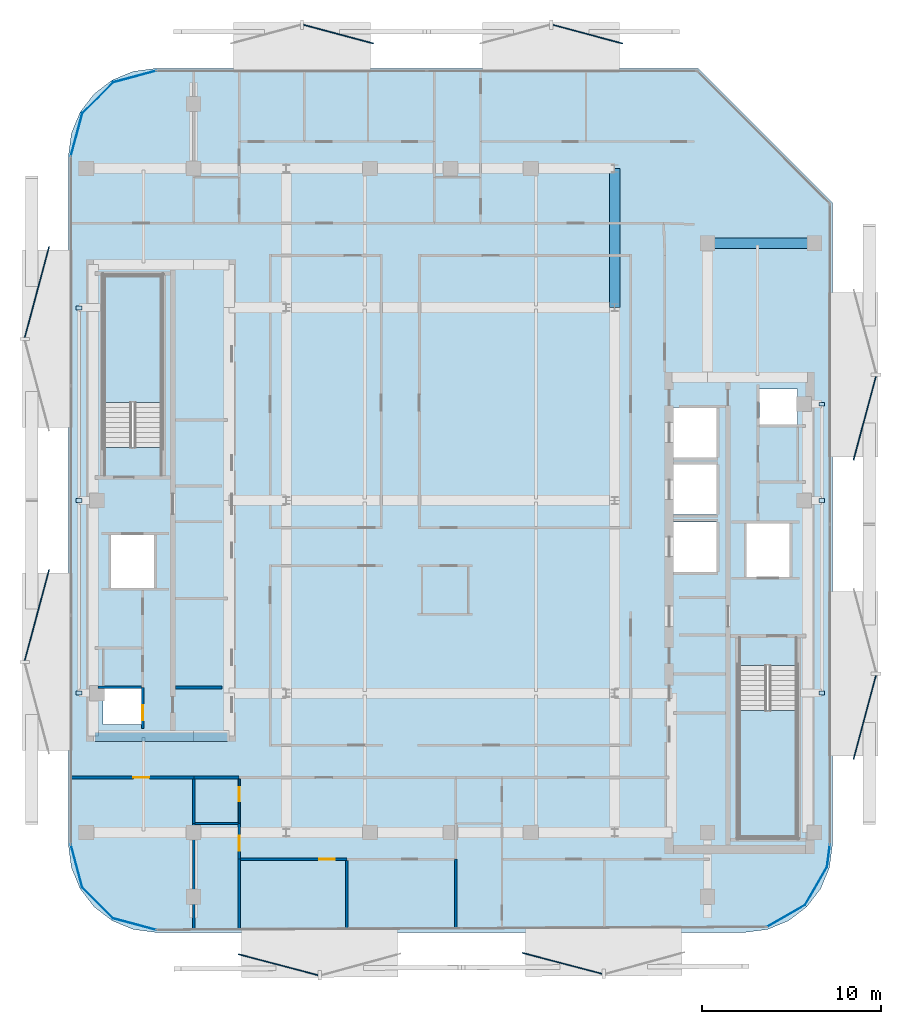
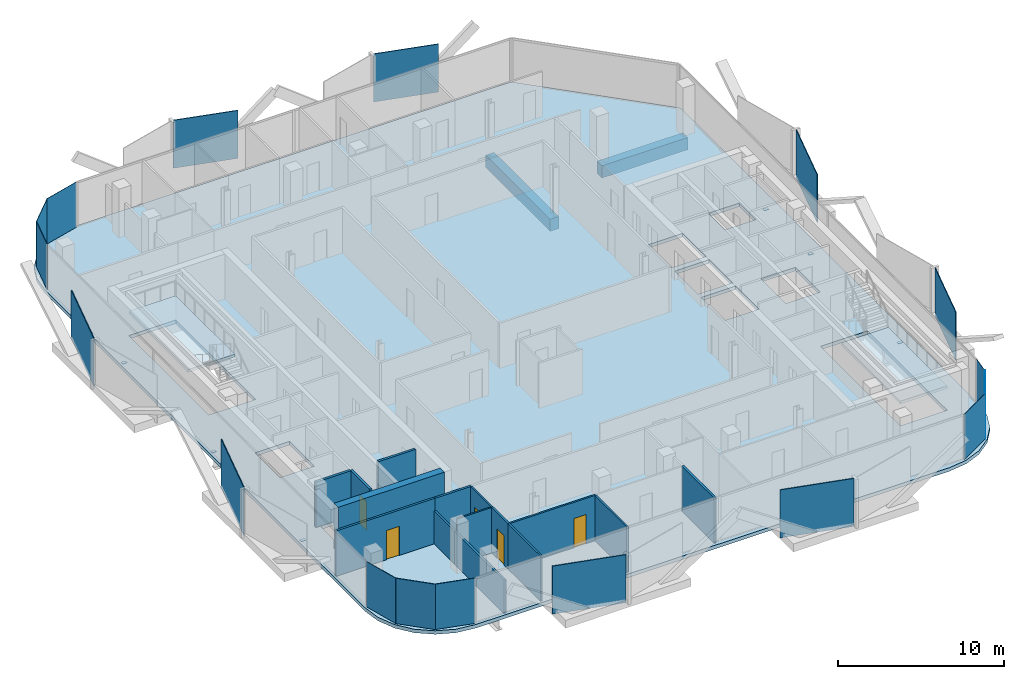
# One storey, part 2 of 15: 23 plates, 15 walls, 5 doors, 3 slabs, 2 beams, 5 openings, 2 elements without a shape of their own.
"""IFC4 building model written with IfcOpenShell, lengths in metres."""

from ifc_helpers import new_model, si_unit, direction, frame, frame_2d, origin, origin_2d, place, context, subcontext, project, spatial, polyline, rectangle, outline, extrude, material, layer, layer_set, material_profile, profile_set, type_object, element, fill, aggregate, save


model = new_model("IFC4")

# Units and contexts
model_context = context("Model", 3, precision=1e-05, world=origin(), true_north=direction((0.0, 1.0)))
body_context = subcontext(model_context, "Body", "Model", "MODEL_VIEW")
ifc_project = project(units=[si_unit("LENGTHUNIT", "METRE"), si_unit("AREAUNIT", "SQUARE_METRE"), si_unit("VOLUMEUNIT", "CUBIC_METRE"), si_unit("PLANEANGLEUNIT", "RADIAN"), si_unit("MASSUNIT", "GRAM", prefix="KILO")], contexts=[model_context])

# Site, building, storey
site_placement = place(None, origin())
site = spatial("IfcSite", under=ifc_project, at=site_placement, CompositionType="ELEMENT")
building_placement = place(site_placement, origin())
building = spatial("IfcBuilding", under=site, at=building_placement, Name="Khairoan Windgate Tower", CompositionType="ELEMENT")
storey_placement = place(building_placement, frame((0.0, 0.0, 262.0)))
storey = spatial("IfcBuildingStorey", under=building, at=storey_placement, Name="L62", CompositionType="ELEMENT", Elevation=262.0)

# Beams
ifc_material_1 = material(Name="Concrete C50/60", Category="concrete")
ifc_material_profile = material_profile(ifc_material_1, rectangle(XDim=0.60009765625, YDim=0.89990234375, at=origin_2d()))
ifc_profile_set = profile_set([ifc_material_profile], Name="Concrete C50/60")
beam_type = type_object("IfcBeamType", Name="Beam B-RC1 RC600x900", PredefinedType="BEAM", material=ifc_profile_set)
beam_1_placement = place(storey_placement, frame((14.39990234375, 14.39990234375, -0.7099609375), z_axis=(1.0, 0.0, 0.0), x_axis=(0.0, 1.0, 0.0)))
element("IfcBeam", 1, at=beam_1_placement, inside=storey, type_object=beam_type, Name="L62 E-W Primary Girder 21", PredefinedType="BEAM", context=body_context, shape_type="SweptSolid", body=[
    extrude(rectangle(XDim=0.60009765625, YDim=0.89990234375, at=origin_2d()), origin(), (0.0, 0.0, 1.0), 6.0),
])
beam_2_placement = place(storey_placement, frame((9.199951171875, 10.800048828125, -0.7099609375), z_axis=(0.0, 1.0, 0.0), x_axis=(-1.0, 0.0, 0.0)))
element("IfcBeam", 2, at=beam_2_placement, inside=storey, type_object=beam_type, Name="L62 N-S Primary Beam 45", PredefinedType="BEAM", context=body_context, shape_type="SweptSolid", body=[
    extrude(rectangle(XDim=0.60009765625, YDim=0.89990234375, at=origin_2d()), origin(), (0.0, 0.0, 1.0), 7.800048828125),
])

# Plates
ifc_material_2 = material(Name="Low-E Solar Control Laminated Glass", Category="glass")
ifc_layer_1 = layer(ifc_material_2, 0.030029296875, Name="Low-E Solar Control Laminated Glass")
ifc_layer_set_1 = layer_set([ifc_layer_1], Name="Low-E Solar Control Laminated Glass")
plate_type_1 = type_object("IfcPlateType", Name="Aerodynamic Wind-Corner Curved Glazing Plate", PredefinedType="USERDEFINED", material=ifc_layer_set_1)
plate_1_placement = place(storey_placement, frame((-17.68505859375, -23.740478515625, 0.0), z_axis=(0.0, 0.0, 1.0), x_axis=(-0.966061211211, 0.258313252067, 0.0)))
element("IfcPlate", 3, at=plate_1_placement, inside=storey, type_object=plate_type_1, Name="L62 Aerodynamic Wind-Corner Curved Glazing Panel 2", ObjectType="GLAZING PANEL", PredefinedType="USERDEFINED", context=body_context, shape_type="SweptSolid", body=[
    extrude(rectangle(XDim=2.512451171875, YDim=0.030029296875, at=origin_2d()), origin(), (0.0, 0.0, 1.0), 3.340087890625),
])
plate_2_placement = place(storey_placement, frame((-19.750244140625, -22.55029296875, 0.0), z_axis=(0.0, 0.0, 1.0), x_axis=(-0.707106781187, 0.707106781187, 0.0)))
element("IfcPlate", 4, at=plate_2_placement, inside=storey, type_object=plate_type_1, Name="L62 Aerodynamic Wind-Corner Curved Glazing Panel 3", ObjectType="GLAZING PANEL", PredefinedType="USERDEFINED", context=body_context, shape_type="SweptSolid", body=[
    extrude(rectangle(XDim=2.50341796875, YDim=0.030029296875, at=origin_2d()), origin(), (0.0, 0.0, 1.0), 3.340087890625),
])
for number, where, z_axis, x_axis, name in (
    (5, (-20.940673828125, -20.485107421875, 0.0), (0.0, 0.0, 1.0), (-0.258313252067, 0.966061211211, 0.0), "L62 Aerodynamic Wind-Corner Curved Glazing Panel 4"),
    (6, (-20.940673828125, 20.485107421875, 0.0), (0.0, 0.0, 1.0), (0.258313252067, 0.966061211211, 0.0), "L62 Aerodynamic Wind-Corner Curved Glazing Panel 6"),
):
    element("IfcPlate", number, at=place(storey_placement, frame(where, z_axis=z_axis, x_axis=x_axis)), inside=storey, type_object=plate_type_1, Name=name, ObjectType="GLAZING PANEL", PredefinedType="USERDEFINED", context=body_context, shape_type="SweptSolid", body=[
        extrude(rectangle(XDim=2.512451171875, YDim=0.030029296875, at=origin_2d()), origin(), (0.0, 0.0, 1.0), 3.340087890625),
    ])
plate_3_placement = place(storey_placement, frame((-19.750244140625, 22.55029296875, 0.0), z_axis=(0.0, 0.0, 1.0), x_axis=(0.707106781187, 0.707106781187, 0.0)))
element("IfcPlate", 7, at=plate_3_placement, inside=storey, type_object=plate_type_1, Name="L62 Aerodynamic Wind-Corner Curved Glazing Panel 7", ObjectType="GLAZING PANEL", PredefinedType="USERDEFINED", context=body_context, shape_type="SweptSolid", body=[
    extrude(rectangle(XDim=2.50341796875, YDim=0.030029296875, at=origin_2d()), origin(), (0.0, 0.0, 1.0), 3.340087890625),
])
plate_4_placement = place(storey_placement, frame((-17.68505859375, 23.740478515625, 0.0), z_axis=(0.0, 0.0, 1.0), x_axis=(0.966061211211, 0.258313252067, 0.0)))
element("IfcPlate", 8, at=plate_4_placement, inside=storey, type_object=plate_type_1, Name="L62 Aerodynamic Wind-Corner Curved Glazing Panel 8", ObjectType="GLAZING PANEL", PredefinedType="USERDEFINED", context=body_context, shape_type="SweptSolid", body=[
    extrude(rectangle(XDim=2.512451171875, YDim=0.030029296875, at=origin_2d()), origin(), (0.0, 0.0, 1.0), 3.340087890625),
])
plate_5_placement = place(storey_placement, frame((21.17822265625, -19.911376953125, 0.0), z_axis=(0.0, 0.0, 1.0), x_axis=(-0.13052619222, -0.991444861374, 0.0)))
element("IfcPlate", 9, at=plate_5_placement, inside=storey, type_object=plate_type_1, Name="L62 Aerodynamic Wind-Corner Curved Glazing Panel 12", ObjectType="GLAZING PANEL", PredefinedType="USERDEFINED", context=body_context, shape_type="SweptSolid", body=[
    extrude(rectangle(XDim=1.29150390625, YDim=0.030029296875, at=origin_2d()), origin(), (0.0, 0.0, 1.0), 3.340087890625),
])
for number, where, z_axis, x_axis, name in (
    (10, (20.480712890625, -21.598388671875, 0.0), (0.0, 0.0, 1.0), (-0.5, -0.866025403784, 0.0), "L62 Aerodynamic Wind-Corner Curved Glazing Panel 13"),
    (11, (18.79833984375, -23.28076171875, 0.0), (0.0, 0.0, 1.0), (-0.866025403784, -0.5, 0.0), "L62 Aerodynamic Wind-Corner Curved Glazing Panel 14"),
):
    element("IfcPlate", number, at=place(storey_placement, frame(where, z_axis=z_axis, x_axis=x_axis)), inside=storey, type_object=plate_type_1, Name=name, ObjectType="GLAZING PANEL", PredefinedType="USERDEFINED", context=body_context, shape_type="SweptSolid", body=[
        extrude(rectangle(XDim=2.50341796875, YDim=0.030029296875, at=origin_2d()), origin(), (0.0, 0.0, 1.0), 3.340087890625),
    ])
ifc_material_3 = material(Name="Steel S355", Category="steel")
ifc_layer_2 = layer(ifc_material_3, 0.0400390625, Name="Steel S355")
ifc_layer_set_2 = layer_set([ifc_layer_2], Name="Steel S355")
plate_type_2 = type_object("IfcPlateType", Name="Hollow Section End-Cap Plate PL-CAP40", PredefinedType="SHEET", material=ifc_layer_set_2)
for number, where, z_axis, x_axis, name in (
    (12, (-20.800048828125, -10.784912109375, -0.429931640625), (0.0, 0.0, 1.0), (0.0, 1.0, 0.0), "BM-SP-L62-028 steel end-cap plate 1"),
    (13, (-20.800048828125, -0.014892578125, -0.429931640625), (0.0, 0.0, 1.0), (0.0, 1.0, 0.0), "BM-SP-L62-028 steel end-cap plate 2"),
    (14, (-20.800048828125, 10.784912109375, -0.429931640625), (0.0, 0.0, 1.0), (0.0, 1.0, 0.0), "BM-SP-L62-029 steel end-cap plate 2"),
    (15, (20.800048828125, -10.784912109375, -0.429931640625), (0.0, 0.0, 1.0), (0.0, 1.0, 0.0), "BM-SP-L62-051 steel end-cap plate 1"),
    (16, (20.800048828125, -0.014892578125, -0.429931640625), (0.0, 0.0, 1.0), (0.0, 1.0, 0.0), "BM-SP-L62-051 steel end-cap plate 2"),
    (17, (20.800048828125, 5.385009765625, -0.429931640625), (0.0, 0.0, 1.0), (0.0, 1.0, 0.0), "BM-SP-L62-052 steel end-cap plate 2"),
):
    element("IfcPlate", number, at=place(storey_placement, frame(where, z_axis=z_axis, x_axis=x_axis)), inside=storey, type_object=plate_type_2, Name=name, PredefinedType="SHEET", context=body_context, shape_type="SweptSolid", body=[
        extrude(rectangle(XDim=0.219970703125, YDim=0.320068359375, at=origin_2d()), origin(), (0.0, 0.0, 1.0), 0.0400390625),
    ])
ifc_material_4 = material(Name="Anodised Bronze Aluminium 6063-T6", Category="aluminium")
ifc_layer_3 = layer(ifc_material_4, 0.054931640625, Name="Anodised Bronze Aluminium 6063-T6")
ifc_layer_set_3 = layer_set([ifc_layer_3], Name="Anodised Bronze Aluminium 6063-T6")
plate_type_3 = type_object("IfcPlateType", Name="Perforated Bronze Solar Screen Upper Panel BSP-2", PredefinedType="USERDEFINED", material=ifc_layer_set_3)
for number, where, z_axis, x_axis, name in (
    (18, (6.26708984375, -25.934326171875, -0.10009765625), (0.0, 0.0, 1.0), (-0.967134752842, 0.254264369988, 0.0), "L62 Perforated Bronze Solar Screen Panel 425R"),
    (19, (-9.64404296875, -26.01025390625, -0.10009765625), (0.0, 0.0, 1.0), (-0.967134752842, 0.254264369988, 0.0), "L62 Perforated Bronze Solar Screen Panel 426R"),
):
    element("IfcPlate", number, at=place(storey_placement, frame(where, z_axis=z_axis, x_axis=x_axis)), inside=storey, type_object=plate_type_3, Name=name, ObjectType="SCREEN", PredefinedType="USERDEFINED", context=body_context, shape_type="SweptSolid", body=[
        extrude(rectangle(XDim=4.614013671875, YDim=0.054931640625, at=origin_2d()), origin(), (0.0, 0.0, 1.0), 3.5400390625),
    ])
for number, where, z_axis, x_axis, name in (
    (20, (-23.1611328125, -6.421875, -0.10009765625), (0.0, 0.0, 1.0), (0.258819045103, 0.965925826289, 0.0), "L62 Perforated Bronze Solar Screen Panel 427R"),
    (21, (-23.1611328125, 11.6689453125, -0.10009765625), (0.0, 0.0, 1.0), (0.258819045103, 0.965925826289, 0.0), "L62 Perforated Bronze Solar Screen Panel 428R"),
):
    element("IfcPlate", number, at=place(storey_placement, frame(where, z_axis=z_axis, x_axis=x_axis)), inside=storey, type_object=plate_type_3, Name=name, ObjectType="SCREEN", PredefinedType="USERDEFINED", context=body_context, shape_type="SweptSolid", body=[
        extrude(rectangle(XDim=5.24609375, YDim=0.054931640625, at=origin_2d()), origin(), (0.0, 0.0, 1.0), 3.5400390625),
    ])
for number, where, z_axis, x_axis, name in (
    (22, (-6.26806640625, 26.1162109375, -0.10009765625), (0.0, 0.0, 1.0), (0.965925826289, -0.258819045103, 0.0), "L62 Perforated Bronze Solar Screen Panel 429R"),
    (23, (7.6884765625, 26.1162109375, -0.10009765625), (0.0, 0.0, 1.0), (0.965925826289, -0.258819045103, 0.0), "L62 Perforated Bronze Solar Screen Panel 430R"),
):
    element("IfcPlate", number, at=place(storey_placement, frame(where, z_axis=z_axis, x_axis=x_axis)), inside=storey, type_object=plate_type_3, Name=name, ObjectType="SCREEN", PredefinedType="USERDEFINED", context=body_context, shape_type="SweptSolid", body=[
        extrude(rectangle(XDim=4.047119140625, YDim=0.054931640625, at=origin_2d()), origin(), (0.0, 0.0, 1.0), 3.5400390625),
    ])
for number, where, z_axis, x_axis, name in (
    (24, (23.211181640625, 4.607177734375, -0.10009765625), (0.0, 0.0, 1.0), (-0.258819045103, -0.965925826289, 0.0), "L62 Perforated Bronze Solar Screen Panel 431R"),
    (25, (23.211181640625, -12.1494140625, -0.10009765625), (0.0, 0.0, 1.0), (-0.258819045103, -0.965925826289, 0.0), "L62 Perforated Bronze Solar Screen Panel 432R"),
):
    element("IfcPlate", number, at=place(storey_placement, frame(where, z_axis=z_axis, x_axis=x_axis)), inside=storey, type_object=plate_type_3, Name=name, ObjectType="SCREEN", PredefinedType="USERDEFINED", context=body_context, shape_type="SweptSolid", body=[
        extrude(rectangle(XDim=4.85888671875, YDim=0.054931640625, at=origin_2d()), origin(), (0.0, 0.0, 1.0), 3.5400390625),
    ])

# Stair, slab
ifc_material_5 = material(Name="Concrete C40/50", Category="concrete")
stair_type = type_object("IfcStairType", Name="Tower Core Dog-Leg Stair ST-T1 1560mm", PredefinedType="HALF_TURN_STAIR", material=ifc_material_5)
stair_1_placement = place(storey_placement, origin())
stair_1 = element("IfcStair", 26, at=stair_1_placement, inside=storey, type_object=stair_type, Name="L62 Stair ST1", PredefinedType="HALF_TURN_STAIR")
ifc_material_6 = material(Name="Concrete C40/50", Category="concrete")
ifc_layer_4 = layer(ifc_material_6, 0.199951171875, Name="Concrete C40/50")
ifc_layer_set_4 = layer_set([ifc_layer_4], Name="Concrete C40/50")
slab_type_1 = type_object("IfcSlabType", Name="Reinforced Concrete Stair Landing Slab STL-200", PredefinedType="LANDING", material=ifc_layer_set_4)
slab_1_placement = place(storey_placement, frame((0.0, 0.0, 1.60009765625)))
slab_1 = element("IfcSlab", 27, at=slab_1_placement, type_object=slab_type_1, Name="ST1 landing 1", PredefinedType="LANDING", context=body_context, shape_type="SweptSolid", body=[
    extrude(outline(polyline([(16.14990234375, -11.780029296875), (16.14990234375, -18.89990234375), (19.419921875, -18.89990234375), (19.419921875, -11.780029296875), (16.14990234375, -11.780029296875)])), origin(), (0.0, 0.0, 1.0), 0.199951171875),
])
aggregate(stair_1, [slab_1])

stair_2_placement = place(storey_placement, origin())
stair_2 = element("IfcStair", 28, at=stair_2_placement, inside=storey, type_object=stair_type, Name="L62 Stair ST2", PredefinedType="HALF_TURN_STAIR")
slab_2_placement = place(storey_placement, frame((0.0, 0.0, 1.60009765625)))
slab_2 = element("IfcSlab", 29, at=slab_2_placement, type_object=slab_type_1, Name="ST2 landing 1", PredefinedType="LANDING", context=body_context, shape_type="SweptSolid", body=[
    extrude(outline(polyline([(-16.14990234375, 5.47998046875), (-16.14990234375, 12.60009765625), (-19.419921875, 12.60009765625), (-19.419921875, 5.47998046875), (-16.14990234375, 5.47998046875)])), origin(), (0.0, 0.0, 1.0), 0.199951171875),
])
aggregate(stair_2, [slab_2])

# Slab
ifc_material_7 = material(Name="Concrete C40/50", Category="concrete")
ifc_layer_5 = layer(ifc_material_7, 0.260009765625, Name="Concrete C40/50")
ifc_layer_set_5 = layer_set([ifc_layer_5], Name="Concrete C40/50")
slab_type_2 = type_object("IfcSlabType", Name="Tower Composite Floor Slab FS2 260mm", PredefinedType="FLOOR", material=ifc_layer_set_5)
slab_3_placement = place(storey_placement, frame((0.0, 0.0, -0.260009765625)))
element("IfcSlab", 30, at=slab_3_placement, inside=storey, type_object=slab_type_2, Name="L62 Structural Floor Slab", PredefinedType="FLOOR", context=body_context, shape_type="SweptSolid", body=[
    extrude(outline(polyline([(16.5, -24.199951171875), (17.768310546875, -24.032958984375), (18.949951171875, -23.54345703125), (19.96484375, -22.764892578125), (20.743408203125, -21.75), (21.23291015625, -20.568115234375), (21.39990234375, -19.300048828125), (21.39990234375, 16.679931640625), (13.8798828125, 24.199951171875), (-16.5, 24.199951171875), (-17.768310546875, 24.032958984375), (-18.949951171875, 23.54345703125), (-19.96484375, 22.764892578125), (-20.743408203125, 21.75), (-21.23291015625, 20.568115234375), (-21.39990234375, 19.300048828125), (-21.39990234375, -19.300048828125), (-21.23291015625, -20.568115234375), (-20.743408203125, -21.75), (-19.96484375, -22.764892578125), (-18.949951171875, -23.54345703125), (-17.768310546875, -24.032958984375), (-16.5, -24.199951171875), (16.5, -24.199951171875)]), holes=[polyline([(16.14990234375, -9.260009765625), (16.14990234375, -18.89990234375), (19.419921875, -18.89990234375), (19.419921875, -9.260009765625), (16.14990234375, -9.260009765625)]), polyline([(-16.14990234375, 2.9599609375), (-16.14990234375, 12.60009765625), (-19.419921875, 12.60009765625), (-19.419921875, 2.9599609375), (-16.14990234375, 2.9599609375)]), polyline([(12.5, 2.39990234375), (14.89990234375, 2.39990234375), (14.89990234375, 5.199951171875), (12.5, 5.199951171875), (12.5, 2.39990234375)]), polyline([(12.5, -0.800048828125), (14.89990234375, -0.800048828125), (14.89990234375, 2.0), (12.5, 2.0), (12.5, -0.800048828125)]), polyline([(12.5, -4.0), (14.89990234375, -4.0), (14.89990234375, -1.199951171875), (12.5, -1.199951171875), (12.5, -4.0)]), polyline([(16.60009765625, -4.300048828125), (19.0, -4.300048828125), (19.0, -1.300048828125), (16.60009765625, -1.300048828125), (16.60009765625, -4.300048828125)]), polyline([(-19.0, -4.89990234375), (-16.60009765625, -4.89990234375), (-16.60009765625, -1.89990234375), (-19.0, -1.89990234375), (-19.0, -4.89990234375)]), polyline([(-19.449951171875, -12.550048828125), (-17.31005859375, -12.550048828125), (-17.31005859375, -10.550048828125), (-19.449951171875, -10.550048828125), (-19.449951171875, -12.550048828125)]), polyline([(17.31005859375, 4.25), (19.449951171875, 4.25), (19.449951171875, 6.25), (17.31005859375, 6.25), (17.31005859375, 4.25)])]), origin(), (0.0, 0.0, 1.0), 0.260009765625),
])

# Wall
ifc_material_8 = material(Name="Moisture-Resistant Gypsum Partition", Category="gypsum")
ifc_layer_6 = layer(ifc_material_8, 0.10009765625, Name="Moisture-Resistant Gypsum Partition")
ifc_layer_set_6 = layer_set([ifc_layer_6], Name="Moisture-Resistant Gypsum Partition")
wall_type_1 = type_object("IfcWallType", Name="Bathroom Wet-Area Partition Wall", PredefinedType="PARTITIONING", material=ifc_layer_set_6)
wall_1_placement = place(storey_placement, frame((-14.300048828125, -18.10009765625, 0.0), z_axis=(0.0, 0.0, 1.0), x_axis=(1.0, 0.0, 0.0)))
element("IfcWall", 31, at=wall_1_placement, inside=storey, type_object=wall_type_1, Name="L62 Interior Partition 063", PredefinedType="PARTITIONING", context=body_context, shape_type="SweptSolid", body=[
    extrude(rectangle(XDim=2.420166015625, YDim=0.10009765625, at=frame_2d((1.2099609375, 0.0))), origin(), (0.0, 0.0, 1.0), 3.340087890625),
])

# Wall, opening, door
wall_2_placement = place(storey_placement, frame((-11.830078125, -18.10009765625, 0.0), z_axis=(0.0, 0.0, 1.0), x_axis=(0.0, 1.0, 0.0)))
wall_2 = element("IfcWall", 32, at=wall_2_placement, inside=storey, type_object=wall_type_1, Name="L62 Interior Partition 064", PredefinedType="PARTITIONING", context=body_context, shape_type="SweptSolid", body=[
    extrude(rectangle(XDim=2.5, YDim=0.10009765625, at=frame_2d((1.25, 0.0))), origin(), (0.0, 0.0, 1.0), 3.340087890625),
])
opening_1_placement = place(wall_2_placement, frame((1.239990234375, 0.0, 0.0)))
opening_1 = element("IfcOpeningElement", 33, at=opening_1_placement, cuts=wall_2, Name="Opening ID-BTH", PredefinedType="OPENING", context=body_context, shape_type="SweptSolid", body=[
    extrude(rectangle(XDim=0.800048828125, YDim=2.10009765625, at=frame_2d((0.39990234375, 1.050048828125))), frame((0.0, 0.06005859375, 0.0), z_axis=(0.0, -1.0, 0.0), x_axis=(1.0, 0.0, 0.0)), (0.0, 0.0, 1.0), 0.1201171875),
])
ifc_material_9 = material(Name="Teak Veneer Timber Leaf", Category="wood")
door_type_1 = type_object("IfcDoorType", Name="Internal Bathroom Door ID-BTH 800x2100", OperationType="NOTDEFINED", PredefinedType="DOOR", material=ifc_material_9)
door_1_placement = place(opening_1_placement, origin())
door_1 = element("IfcDoor", 34, at=door_1_placement, inside=storey, type_object=door_type_1, Name="L62 L62-46-L62-48 Door", OperationType="SINGLE_SWING_LEFT", OverallHeight=2.10009765625, OverallWidth=0.800048828125, PredefinedType="DOOR", context=body_context, shape_type="SweptSolid", body=[
    extrude(rectangle(XDim=0.800048828125, YDim=2.10009765625, at=frame_2d((0.39990234375, 1.050048828125))), frame((0.0, 0.02490234375, 0.0), z_axis=(0.0, -1.0, 0.0), x_axis=(1.0, 0.0, 0.0)), (0.0, 0.0, 1.0), 0.050048828125),
])
fill(opening_1, door_1)

# Walls
ifc_material_10 = material(Name="Concrete C40/50", Category="concrete")
ifc_layer_7 = layer(ifc_material_10, 0.159912109375, Name="Concrete C40/50")
ifc_layer_set_7 = layer_set([ifc_layer_7], Name="Concrete C40/50")
wall_type_2 = type_object("IfcWallType", Name="Core and Hoistway Enclosure Wall", PredefinedType="STANDARD", material=ifc_layer_set_7)
wall_3_placement = place(storey_placement, frame((-15.39990234375, -10.47998046875, 0.0), z_axis=(0.0, 0.0, 1.0), x_axis=(1.0, 0.0, 0.0)))
element("IfcWall", 35, at=wall_3_placement, inside=storey, type_object=wall_type_2, Name="L62 Core Shaft Wall SW-WSV-L62", PredefinedType="STANDARD", context=body_context, shape_type="SweptSolid", body=[
    extrude(rectangle(XDim=2.599853515625, YDim=0.159912109375, at=frame_2d((1.2998046875, 0.0))), origin(), (0.0, 0.0, 1.0), 3.340087890625),
])
ifc_material_11 = material(Name="Acoustic Fire-Rated Gypsum Partition", Category="gypsum")
ifc_layer_8 = layer(ifc_material_11, 0.139892578125, Name="Acoustic Fire-Rated Gypsum Partition")
ifc_layer_set_8 = layer_set([ifc_layer_8], Name="Acoustic Fire-Rated Gypsum Partition")
wall_type_3 = type_object("IfcWallType", Name="Inter-Tenancy Compartment Wall", PredefinedType="PARTITIONING", material=ifc_layer_set_8)
wall_4_placement = place(storey_placement, frame((-14.3701171875, -18.10009765625, 0.0), z_axis=(0.0, 0.0, 1.0), x_axis=(0.0, 1.0, 0.0)))
element("IfcWall", 36, at=wall_4_placement, inside=storey, type_object=wall_type_3, Name="L62 Interior Partition 065", PredefinedType="PARTITIONING", context=body_context, shape_type="SweptSolid", body=[
    extrude(rectangle(XDim=2.5, YDim=0.139892578125, at=frame_2d((1.25, 0.0))), origin(), (0.0, 0.0, 1.0), 2.43994140625),
])
wall_5_placement = place(storey_placement, frame((-14.3701171875, -24.044921875, 0.0), z_axis=(0.0, 0.0, 1.0), x_axis=(0.0, 1.0, 0.0)))
element("IfcWall", 37, at=wall_5_placement, inside=storey, type_object=wall_type_3, Name="L62 Interior Partition 068", PredefinedType="PARTITIONING", context=body_context, shape_type="SweptSolid", body=[
    extrude(rectangle(XDim=5.94482421875, YDim=0.139892578125, at=frame_2d((2.972412109375, 0.0))), origin(), (0.0, 0.0, 1.0), 2.43994140625),
])
wall_6_placement = place(storey_placement, frame((0.300048828125, -23.974853515625, 0.0), z_axis=(0.0, 0.0, 1.0), x_axis=(0.0, 1.0, 0.0)))
element("IfcWall", 38, at=wall_6_placement, inside=storey, type_object=wall_type_3, Name="L62 Interior Partition 074", PredefinedType="PARTITIONING", context=body_context, shape_type="SweptSolid", body=[
    extrude(rectangle(XDim=3.874755859375, YDim=0.139892578125, at=frame_2d((1.9375, 0.0))), origin(), (0.0, 0.0, 1.0), 3.340087890625),
])

# Wall, opening, door
ifc_material_12 = material(Name="Gypsum Stud Partition", Category="gypsum")
ifc_layer_9 = layer(ifc_material_12, 0.1201171875, Name="Gypsum Stud Partition")
ifc_layer_set_9 = layer_set([ifc_layer_9], Name="Gypsum Stud Partition")
wall_type_4 = type_object("IfcWallType", Name="Internal Room Partition Wall", PredefinedType="PARTITIONING", material=ifc_layer_set_9)
wall_7_placement = place(storey_placement, frame((-11.830078125, -20.10009765625, 0.0), z_axis=(0.0, 0.0, 1.0), x_axis=(0.0, 1.0, 0.0)))
wall_7 = element("IfcWall", 39, at=wall_7_placement, inside=storey, type_object=wall_type_4, Name="L62 Interior Partition 066", PredefinedType="PARTITIONING", context=body_context, shape_type="SweptSolid", body=[
    extrude(rectangle(XDim=2.0, YDim=0.1201171875, at=frame_2d((1.0, 0.0))), origin(), (0.0, 0.0, 1.0), 3.340087890625),
])
opening_2_placement = place(wall_7_placement, frame((0.4599609375, 0.0, 0.0)))
opening_2 = element("IfcOpeningElement", 40, at=opening_2_placement, cuts=wall_7, Name="Opening ID-RM", PredefinedType="OPENING", context=body_context, shape_type="SweptSolid", body=[
    extrude(rectangle(XDim=0.860107421875, YDim=2.14990234375, at=frame_2d((0.43017578125, 1.074951171875))), frame((0.0, 0.070068359375, 0.0), z_axis=(0.0, -1.0, 0.0), x_axis=(1.0, 0.0, 0.0)), (0.0, 0.0, 1.0), 0.14013671875),
])
ifc_material_13 = material(Name="Teak Veneer Timber Leaf", Category="wood")
door_type_2 = type_object("IfcDoorType", Name="Internal Bedroom and Office Door ID-RM 860x2150", OperationType="NOTDEFINED", PredefinedType="DOOR", material=ifc_material_13)
door_2_placement = place(opening_2_placement, origin())
door_2 = element("IfcDoor", 41, at=door_2_placement, inside=storey, type_object=door_type_2, Name="L62 L62-47-L62-48 Door", OperationType="SINGLE_SWING_RIGHT", OverallHeight=2.14990234375, OverallWidth=0.860107421875, PredefinedType="DOOR", context=body_context, shape_type="SweptSolid", body=[
    extrude(rectangle(XDim=0.860107421875, YDim=2.14990234375, at=frame_2d((0.43017578125, 1.074951171875))), frame((0.0, 0.02490234375, 0.0), z_axis=(0.0, -1.0, 0.0), x_axis=(1.0, 0.0, 0.0)), (0.0, 0.0, 1.0), 0.050048828125),
])
fill(opening_2, door_2)

# Wall
wall_8_placement = place(storey_placement, frame((-11.830078125, -24.03271484375, 0.0), z_axis=(0.0, 0.0, 1.0), x_axis=(0.0, 1.0, 0.0)))
element("IfcWall", 42, at=wall_8_placement, inside=storey, type_object=wall_type_4, Name="L62 Interior Partition 067", PredefinedType="PARTITIONING", context=body_context, shape_type="SweptSolid", body=[
    extrude(rectangle(XDim=3.9326171875, YDim=0.1201171875, at=frame_2d((1.96630859375, 0.0))), origin(), (0.0, 0.0, 1.0), 3.340087890625),
])

# Wall, opening, door
wall_9_placement = place(storey_placement, frame((-11.77001953125, -20.10009765625, 0.0), z_axis=(0.0, 0.0, 1.0), x_axis=(1.0, 0.0, 0.0)))
wall_9 = element("IfcWall", 43, at=wall_9_placement, inside=storey, type_object=wall_type_4, Name="L62 Interior Partition 069", PredefinedType="PARTITIONING", context=body_context, shape_type="SweptSolid", body=[
    extrude(rectangle(XDim=5.965087890625, YDim=0.1201171875, at=frame_2d((2.982421875, 0.0))), origin(), (0.0, 0.0, 1.0), 3.340087890625),
])
opening_3_placement = place(wall_9_placement, frame((4.435791015625, 0.0, 0.0)))
opening_3 = element("IfcOpeningElement", 44, at=opening_3_placement, cuts=wall_9, Name="Opening ID-RM", PredefinedType="OPENING", context=body_context, shape_type="SweptSolid", body=[
    extrude(rectangle(XDim=0.860107421875, YDim=2.14990234375, at=frame_2d((0.43017578125, 1.074951171875))), frame((0.0, 0.070068359375, 0.0), z_axis=(0.0, -1.0, 0.0), x_axis=(1.0, 0.0, 0.0)), (0.0, 0.0, 1.0), 0.14013671875),
])
door_3_placement = place(opening_3_placement, origin())
door_3 = element("IfcDoor", 45, at=door_3_placement, inside=storey, type_object=door_type_2, Name="L62 L62-48-L62-49 Door", OperationType="SINGLE_SWING_LEFT", OverallHeight=2.14990234375, OverallWidth=0.860107421875, PredefinedType="DOOR", context=body_context, shape_type="SweptSolid", body=[
    extrude(rectangle(XDim=0.860107421875, YDim=2.14990234375, at=frame_2d((0.43017578125, 1.074951171875))), frame((0.0, 0.02490234375, 0.0), z_axis=(0.0, -1.0, 0.0), x_axis=(1.0, 0.0, 0.0)), (0.0, 0.0, 1.0), 0.050048828125),
])
fill(opening_3, door_3)

# Wall
wall_10_placement = place(storey_placement, frame((-5.804931640625, -24.00390625, 0.0), z_axis=(0.0, 0.0, 1.0), x_axis=(0.0, 1.0, 0.0)))
element("IfcWall", 46, at=wall_10_placement, inside=storey, type_object=wall_type_4, Name="L62 Interior Partition 073", PredefinedType="PARTITIONING", context=body_context, shape_type="SweptSolid", body=[
    extrude(rectangle(XDim=3.843994140625, YDim=0.1201171875, at=frame_2d((1.921875, 0.0))), origin(), (0.0, 0.0, 1.0), 3.340087890625),
])

# Wall, opening, door
ifc_material_14 = material(Name="Concrete C40/50", Category="concrete")
ifc_layer_10 = layer(ifc_material_14, 0.159912109375, Name="Concrete C40/50")
ifc_layer_set_10 = layer_set([ifc_layer_10], Name="Concrete C40/50")
wall_type_5 = type_object("IfcWallType", Name="Plant and Refuge Compartment Wall", PredefinedType="PARTITIONING", material=ifc_layer_set_10)
wall_11_placement = place(storey_placement, frame((-17.22998046875, -12.7900390625, 0.0), z_axis=(0.0, 0.0, 1.0), x_axis=(0.0, 1.0, 0.0)))
wall_11 = element("IfcWall", 47, at=wall_11_placement, inside=storey, type_object=wall_type_5, Name="L62 Interior Partition 001", PredefinedType="PARTITIONING", context=body_context, shape_type="SweptSolid", body=[
    extrude(rectangle(XDim=2.320068359375, YDim=0.159912109375, at=frame_2d((1.16015625, 0.0))), origin(), (0.0, 0.0, 1.0), 3.340087890625),
])
opening_4_placement = place(wall_11_placement, frame((0.4599609375, 0.0, 0.0)))
opening_4 = element("IfcOpeningElement", 48, at=opening_4_placement, cuts=wall_11, Name="Opening FD-SRV", PredefinedType="OPENING", context=body_context, shape_type="SweptSolid", body=[
    extrude(rectangle(XDim=0.85009765625, YDim=2.10009765625, at=frame_2d((0.425048828125, 1.050048828125))), frame((0.0, 0.08984375, 0.0), z_axis=(0.0, -1.0, 0.0), x_axis=(1.0, 0.0, 0.0)), (0.0, 0.0, 1.0), 0.179931640625),
])
ifc_material_15 = material(Name="Steel S355", Category="steel")
door_type_3 = type_object("IfcDoorType", Name="Core Service and Riser Fire Door FD-SRV 850x2100", OperationType="NOTDEFINED", PredefinedType="DOOR", material=ifc_material_15)
door_4_placement = place(opening_4_placement, origin())
door_4 = element("IfcDoor", 49, at=door_4_placement, inside=storey, type_object=door_type_3, Name="L62 L62-04-L62-05 Door", OperationType="SINGLE_SWING_RIGHT", OverallHeight=2.10009765625, OverallWidth=0.85009765625, PredefinedType="DOOR", context=body_context, shape_type="SweptSolid", body=[
    extrude(rectangle(XDim=0.85009765625, YDim=2.10009765625, at=frame_2d((0.425048828125, 1.050048828125))), frame((0.0, 0.02490234375, 0.0), z_axis=(0.0, -1.0, 0.0), x_axis=(1.0, 0.0, 0.0)), (0.0, 0.0, 1.0), 0.050048828125),
])
fill(opening_4, door_4)

# Walls
wall_12_placement = place(storey_placement, frame((-19.75, -10.469970703125, 0.0), z_axis=(0.0, 0.0, 1.0), x_axis=(1.0, 0.0, 0.0)))
element("IfcWall", 50, at=wall_12_placement, inside=storey, type_object=wall_type_5, Name="L62 Interior Partition 004", PredefinedType="PARTITIONING", context=body_context, shape_type="SweptSolid", body=[
    extrude(rectangle(XDim=2.43994140625, YDim=0.159912109375, at=frame_2d((1.219970703125, 0.0))), origin(), (0.0, 0.0, 1.0), 3.340087890625),
])
ifc_material_16 = material(Name="Acoustic Fire-Rated Gypsum Partition", Category="gypsum")
ifc_layer_11 = layer(ifc_material_16, 0.14990234375, Name="Acoustic Fire-Rated Gypsum Partition")
ifc_layer_set_11 = layer_set([ifc_layer_11], Name="Acoustic Fire-Rated Gypsum Partition")
wall_type_6 = type_object("IfcWallType", Name="Rated Corridor Partition Wall", PredefinedType="PARTITIONING", material=ifc_layer_set_11)
wall_13_placement = place(storey_placement, frame((-14.3701171875, -15.52490234375, 0.0), z_axis=(0.0, 0.0, 1.0), x_axis=(1.0, 0.0, 0.0)))
element("IfcWall", 51, at=wall_13_placement, inside=storey, type_object=wall_type_6, Name="L62 Interior Partition 034", PredefinedType="PARTITIONING", context=body_context, shape_type="SweptSolid", body=[
    extrude(rectangle(XDim=2.5400390625, YDim=0.14990234375, at=frame_2d((1.27001953125, 0.0))), origin(), (0.0, 0.0, 1.0), 3.340087890625),
])

# Wall, opening, door
wall_14_placement = place(storey_placement, frame((-21.2548828125, -15.52001953125, 0.0), z_axis=(0.0, 0.0, 1.0), x_axis=(0.999999748504, -0.00070921968, 0.0)))
wall_14 = element("IfcWall", 52, at=wall_14_placement, inside=storey, type_object=wall_type_6, Name="L62 Interior Partition 038", PredefinedType="PARTITIONING", context=body_context, shape_type="SweptSolid", body=[
    extrude(rectangle(XDim=6.884765625, YDim=0.14990234375, at=frame_2d((3.4423828125, 0.0))), origin(), (0.0, 0.0, 1.0), 3.340087890625),
])
opening_5_placement = place(wall_14_placement, frame((3.4990234375, 0.0, 0.0)))
opening_5 = element("IfcOpeningElement", 53, at=opening_5_placement, cuts=wall_14, Name="Opening FD-ENT", PredefinedType="OPENING", context=body_context, shape_type="SweptSolid", body=[
    extrude(rectangle(XDim=0.89990234375, YDim=2.14990234375, at=frame_2d((0.449951171875, 1.074951171875))), frame((0.0, 0.0849609375, 0.0), z_axis=(0.0, -1.0, 0.0), x_axis=(1.0, 0.0, 0.0)), (0.0, 0.0, 1.0), 0.169921875),
])
ifc_material_17 = material(Name="Timber Fire-Rated Core", Category="wood")
door_type_4 = type_object("IfcDoorType", Name="Unit and Office Fire Entrance Door FD-ENT 900x2150", OperationType="NOTDEFINED", PredefinedType="DOOR", material=ifc_material_17)
door_5_placement = place(opening_5_placement, origin())
door_5 = element("IfcDoor", 54, at=door_5_placement, inside=storey, type_object=door_type_4, Name="L62 L62-34-L62-58 Door", OperationType="SINGLE_SWING_LEFT", OverallHeight=2.14990234375, OverallWidth=0.89990234375, PredefinedType="DOOR", context=body_context, shape_type="SweptSolid", body=[
    extrude(rectangle(XDim=0.89990234375, YDim=2.14990234375, at=frame_2d((0.449951171875, 1.074951171875))), frame((0.0, 0.02490234375, 0.0), z_axis=(0.0, -1.0, 0.0), x_axis=(1.0, 0.0, 0.0)), (0.0, 0.0, 1.0), 0.050048828125),
])
fill(opening_5, door_5)

# Wall
ifc_material_18 = material(Name="Concrete C50/60", Category="concrete")
ifc_layer_12 = layer(ifc_material_18, 0.5, Name="Concrete C50/60")
ifc_layer_set_12 = layer_set([ifc_layer_12], Name="Concrete C50/60")
wall_type_7 = type_object("IfcWallType", Name="Shear Wall CW-W3 500mm", PredefinedType="SHEAR", material=ifc_layer_set_12)
wall_15_placement = place(storey_placement, frame((-19.89990234375, -13.25, 0.0), z_axis=(0.0, 0.0, 1.0), x_axis=(1.0, 0.0, 0.0)))
element("IfcWall", 55, at=wall_15_placement, inside=storey, type_object=wall_type_7, Name="W Core South Shear Wall L62", PredefinedType="SHEAR", context=body_context, shape_type="SweptSolid", body=[
    extrude(rectangle(XDim=7.39990234375, YDim=0.5, at=frame_2d((3.699951171875, 0.0))), origin(), (0.0, 0.0, 1.0), 3.340087890625),
])

save(model, "model.ifc")
